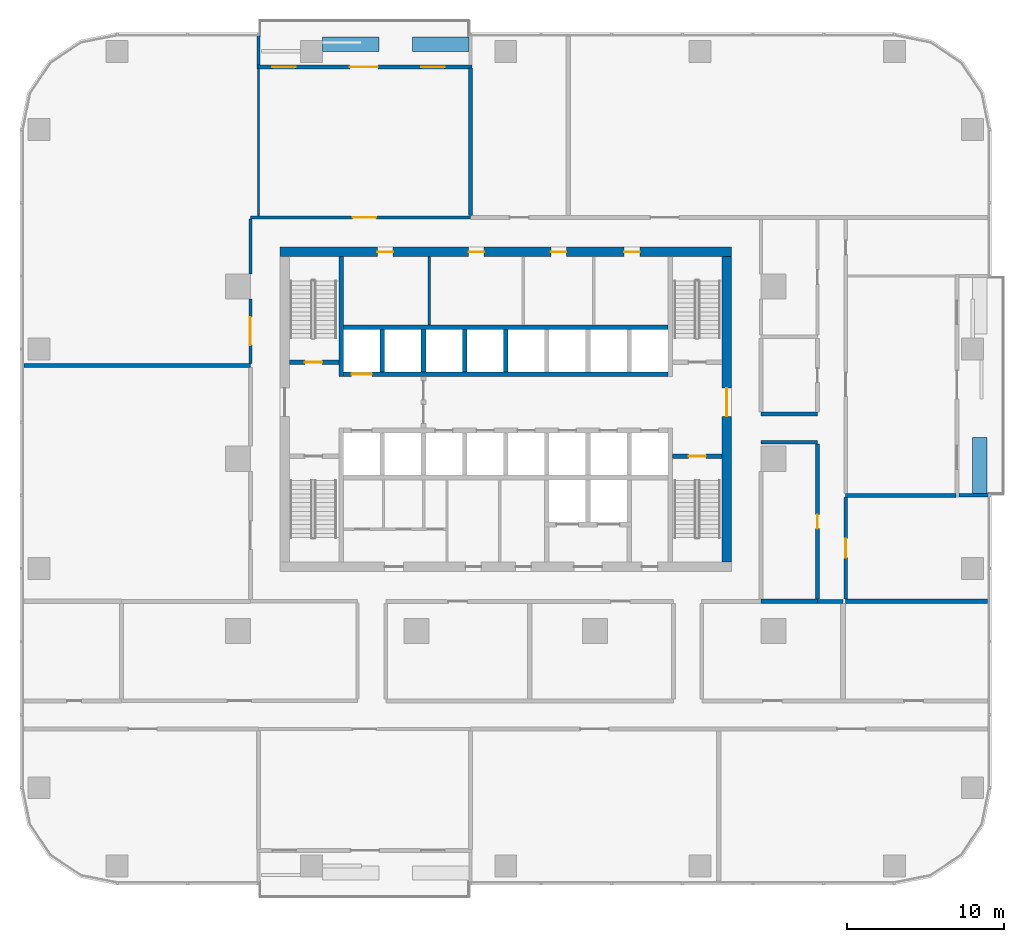
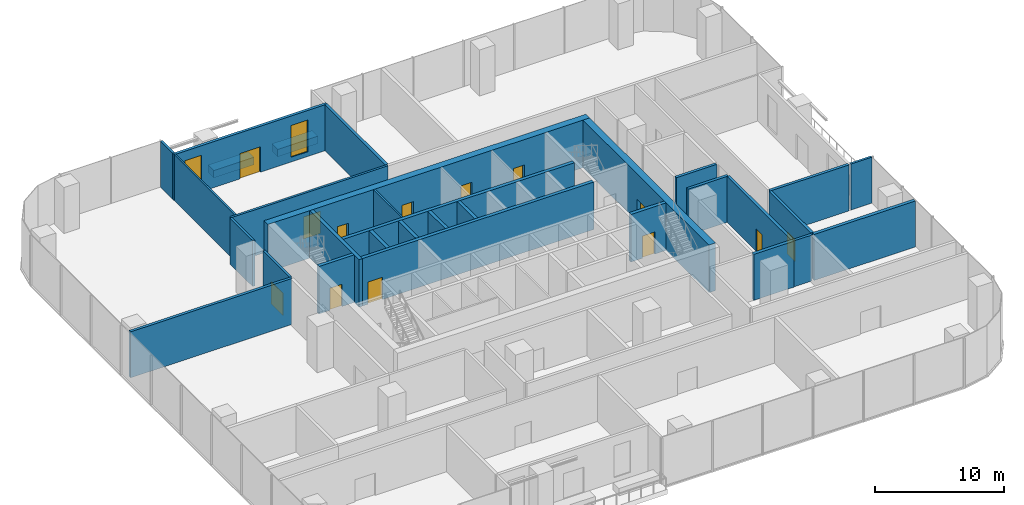
# One storey, part 9 of 15: 32 walls, 13 doors, 2 windows, 15 openings.
"""IFC4 building model written with IfcOpenShell, lengths in metres."""

from ifc_helpers import new_model, si_unit, direction, frame, frame_2d, origin, place, context, subcontext, project, spatial, rectangle, extrude, material, layer, layer_set, type_object, element, fill, save


model = new_model("IFC4")

# Units and contexts
model_context = context("Model", 3, precision=1e-05, world=origin(), true_north=direction((0.0, 1.0)))
body_context = subcontext(model_context, "Body", "Model", "MODEL_VIEW")
ifc_project = project(units=[si_unit("LENGTHUNIT", "METRE"), si_unit("AREAUNIT", "SQUARE_METRE"), si_unit("VOLUMEUNIT", "CUBIC_METRE"), si_unit("PLANEANGLEUNIT", "RADIAN"), si_unit("MASSUNIT", "GRAM", prefix="KILO")], contexts=[model_context])

# Site, building, storey
site_placement = place(None, origin())
site = spatial("IfcSite", under=ifc_project, at=site_placement, CompositionType="ELEMENT")
building_placement = place(site_placement, origin())
building = spatial("IfcBuilding", under=site, at=building_placement, Name="Mopane Tessera Tower", CompositionType="ELEMENT")
storey_placement = place(building_placement, frame((0.0, 0.0, 79.0)))
storey = spatial("IfcBuildingStorey", under=building, at=storey_placement, Name="L15", CompositionType="ELEMENT", Elevation=79.0)

# Wall
ifc_material_1 = material(Name="Fire-rated gypsum board partition")
ifc_layer_1 = layer(ifc_material_1, 0.14990234375)
ifc_layer_set_1 = layer_set([ifc_layer_1], Name="Fire-rated gypsum board partition")
wall_type_1 = type_object("IfcWallType", Name="Core room partition 150 mm", PredefinedType="PARTITIONING", material=ifc_layer_set_1)
wall_1_placement = place(storey_placement, frame((-4.875, 8.550048828125, 0.0), z_axis=(0.0, 0.0, 1.0), x_axis=(0.0, 1.0, 0.0)))
element("IfcWall", 1, at=wall_1_placement, inside=storey, type_object=wall_type_1, Name="L15 Room partition", PredefinedType="PARTITIONING", context=body_context, shape_type="SweptSolid", body=[
    extrude(rectangle(XDim=4.349853515625, YDim=0.14990234375, at=frame_2d((2.1748046875, 0.0))), origin(), (0.0, 0.0, 1.0), 4.5),
])

# Wall, openings, doors
ifc_material_2 = material(Name="Concrete C70/85", Category="concrete")
ifc_layer_2 = layer(ifc_material_2, 0.60009765625)
ifc_layer_set_2 = layer_set([ifc_layer_2], Name="Concrete C70/85")
wall_type_2 = type_object("IfcWallType", Name="Core shear wall 600 mm", PredefinedType="SHEAR", material=ifc_layer_set_2)
wall_2_placement = place(storey_placement, frame((-14.39990234375, 13.199951171875, 0.0), z_axis=(0.0, 0.0, 1.0), x_axis=(1.0, 0.0, 0.0)))
wall_2 = element("IfcWall", 2, at=wall_2_placement, inside=storey, type_object=wall_type_2, Name="L15 Core wall north", PredefinedType="SHEAR", context=body_context, shape_type="SweptSolid", body=[
    extrude(rectangle(XDim=28.7998046875, YDim=0.60009765625, at=frame_2d((14.39990234375, 0.0))), origin(), (0.0, 0.0, 1.0), 4.5),
])
opening_1_placement = place(wall_2_placement, frame((6.21240234375, 0.0, 0.0)))
opening_1 = element("IfcOpeningElement", 3, at=opening_1_placement, cuts=wall_2, Name="Opening RD1", PredefinedType="OPENING", context=body_context, shape_type="SweptSolid", body=[
    extrude(rectangle(XDim=1.0, YDim=2.10009765625, at=frame_2d((0.5, 1.050048828125))), frame((0.0, 0.31201171875, 0.0), z_axis=(0.0, -1.0, 0.0), x_axis=(1.0, 0.0, 0.0)), (0.0, 0.0, 1.0), 0.6240234375),
])
opening_2_placement = place(wall_2_placement, frame((12.02490234375, 0.0, 0.0)))
opening_2 = element("IfcOpeningElement", 4, at=opening_2_placement, cuts=wall_2, Name="Opening RD1", PredefinedType="OPENING", context=body_context, shape_type="SweptSolid", body=[
    extrude(rectangle(XDim=1.0, YDim=2.10009765625, at=frame_2d((0.5, 1.050048828125))), frame((0.0, 0.31201171875, 0.0), z_axis=(0.0, -1.0, 0.0), x_axis=(1.0, 0.0, 0.0)), (0.0, 0.0, 1.0), 0.6240234375),
])
opening_3_placement = place(wall_2_placement, frame((17.27490234375, 0.0, 0.0)))
opening_3 = element("IfcOpeningElement", 5, at=opening_3_placement, cuts=wall_2, Name="Opening RD1", PredefinedType="OPENING", context=body_context, shape_type="SweptSolid", body=[
    extrude(rectangle(XDim=1.0, YDim=2.10009765625, at=frame_2d((0.5, 1.050048828125))), frame((0.0, 0.31201171875, 0.0), z_axis=(0.0, -1.0, 0.0), x_axis=(1.0, 0.0, 0.0)), (0.0, 0.0, 1.0), 0.6240234375),
])
opening_4_placement = place(wall_2_placement, frame((21.96240234375, 0.0, 0.0)))
opening_4 = element("IfcOpeningElement", 6, at=opening_4_placement, cuts=wall_2, Name="Opening RD1", PredefinedType="OPENING", context=body_context, shape_type="SweptSolid", body=[
    extrude(rectangle(XDim=1.0, YDim=2.10009765625, at=frame_2d((0.5, 1.050048828125))), frame((0.0, 0.31201171875, 0.0), z_axis=(0.0, -1.0, 0.0), x_axis=(1.0, 0.0, 0.0)), (0.0, 0.0, 1.0), 0.6240234375),
])
ifc_material_3 = material(Name="Timber door", Category="wood")
door_type_1 = type_object("IfcDoorType", Name="Core room door 1000 x 2100", OperationType="SINGLE_SWING_LEFT", PredefinedType="DOOR", material=ifc_material_3)
door_1_placement = place(opening_1_placement, origin())
door_1 = element("IfcDoor", 7, at=door_1_placement, inside=storey, type_object=door_type_1, Name="L15 Room door", OperationType="SINGLE_SWING_LEFT", OverallHeight=2.10009765625, OverallWidth=1.0, PredefinedType="DOOR", context=body_context, shape_type="SweptSolid", body=[
    extrude(rectangle(XDim=1.0, YDim=2.10009765625, at=frame_2d((0.5, 1.050048828125))), frame((0.0, 0.02490234375, 0.0), z_axis=(0.0, -1.0, 0.0), x_axis=(1.0, 0.0, 0.0)), (0.0, 0.0, 1.0), 0.050048828125),
])
fill(opening_1, door_1)
door_2_placement = place(opening_2_placement, origin())
door_2 = element("IfcDoor", 8, at=door_2_placement, inside=storey, type_object=door_type_1, Name="L15 Room door", OperationType="SINGLE_SWING_LEFT", OverallHeight=2.10009765625, OverallWidth=1.0, PredefinedType="DOOR", context=body_context, shape_type="SweptSolid", body=[
    extrude(rectangle(XDim=1.0, YDim=2.10009765625, at=frame_2d((0.5, 1.050048828125))), frame((0.0, 0.02490234375, 0.0), z_axis=(0.0, -1.0, 0.0), x_axis=(1.0, 0.0, 0.0)), (0.0, 0.0, 1.0), 0.050048828125),
])
fill(opening_2, door_2)
door_3_placement = place(opening_3_placement, origin())
door_3 = element("IfcDoor", 9, at=door_3_placement, inside=storey, type_object=door_type_1, Name="L15 Room door", OperationType="SINGLE_SWING_LEFT", OverallHeight=2.10009765625, OverallWidth=1.0, PredefinedType="DOOR", context=body_context, shape_type="SweptSolid", body=[
    extrude(rectangle(XDim=1.0, YDim=2.10009765625, at=frame_2d((0.5, 1.050048828125))), frame((0.0, 0.02490234375, 0.0), z_axis=(0.0, -1.0, 0.0), x_axis=(1.0, 0.0, 0.0)), (0.0, 0.0, 1.0), 0.050048828125),
])
fill(opening_3, door_3)
door_4_placement = place(opening_4_placement, origin())
door_4 = element("IfcDoor", 10, at=door_4_placement, inside=storey, type_object=door_type_1, Name="L15 Room door", OperationType="SINGLE_SWING_LEFT", OverallHeight=2.10009765625, OverallWidth=1.0, PredefinedType="DOOR", context=body_context, shape_type="SweptSolid", body=[
    extrude(rectangle(XDim=1.0, YDim=2.10009765625, at=frame_2d((0.5, 1.050048828125))), frame((0.0, 0.02490234375, 0.0), z_axis=(0.0, -1.0, 0.0), x_axis=(1.0, 0.0, 0.0)), (0.0, 0.0, 1.0), 0.050048828125),
])
fill(opening_4, door_4)

# Wall, opening, door
wall_3_placement = place(storey_placement, frame((14.10009765625, -6.60009765625, 0.0), z_axis=(0.0, 0.0, 1.0), x_axis=(0.0, 1.0, 0.0)))
wall_3 = element("IfcWall", 11, at=wall_3_placement, inside=storey, type_object=wall_type_2, Name="L15 Core wall east", PredefinedType="SHEAR", context=body_context, shape_type="SweptSolid", body=[
    extrude(rectangle(XDim=19.5, YDim=0.60009765625, at=frame_2d((9.75, 0.0))), origin(), (0.0, 0.0, 1.0), 4.5),
])
opening_5_placement = place(wall_3_placement, frame((9.300048828125, 0.0, 0.0)))
opening_5 = element("IfcOpeningElement", 12, at=opening_5_placement, cuts=wall_3, Name="Opening SD2", PredefinedType="OPENING", context=body_context, shape_type="SweptSolid", body=[
    extrude(rectangle(XDim=1.800048828125, YDim=2.10009765625, at=frame_2d((0.89990234375, 1.050048828125))), frame((0.0, 0.31201171875, 0.0), z_axis=(0.0, -1.0, 0.0), x_axis=(1.0, 0.0, 0.0)), (0.0, 0.0, 1.0), 0.6240234375),
])
ifc_material_4 = material(Name="Steel fire door", Category="steel")
door_type_2 = type_object("IfcDoorType", Name="Core entrance double door 1800 x 2100", OperationType="DOUBLE_DOOR_SINGLE_SWING", PredefinedType="DOOR", material=ifc_material_4)
door_5_placement = place(opening_5_placement, origin())
door_5 = element("IfcDoor", 13, at=door_5_placement, inside=storey, type_object=door_type_2, Name="L15 Core entrance door east", OperationType="DOUBLE_DOOR_SINGLE_SWING", OverallHeight=2.10009765625, OverallWidth=1.800048828125, PredefinedType="DOOR", context=body_context, shape_type="SweptSolid", body=[
    extrude(rectangle(XDim=1.800048828125, YDim=2.10009765625, at=frame_2d((0.89990234375, 1.050048828125))), frame((0.0, 0.02490234375, 0.0), z_axis=(0.0, -1.0, 0.0), x_axis=(1.0, 0.0, 0.0)), (0.0, 0.0, 1.0), 0.050048828125),
])
fill(opening_5, door_5)

# Wall
ifc_material_5 = material(Name="Concrete C60/75", Category="concrete")
ifc_layer_3 = layer(ifc_material_5, 0.300048828125)
ifc_layer_set_3 = layer_set([ifc_layer_3], Name="Concrete C60/75")
wall_type_3 = type_object("IfcWallType", Name="Core spine wall 300 mm", PredefinedType="SHEAR", material=ifc_layer_set_3)
wall_4_placement = place(storey_placement, frame((-10.5, 5.25, 0.0), z_axis=(0.0, 0.0, 1.0), x_axis=(0.0, 1.0, 0.0)))
element("IfcWall", 14, at=wall_4_placement, inside=storey, type_object=wall_type_3, Name="L15 Core spine wall", PredefinedType="SHEAR", context=body_context, shape_type="SweptSolid", body=[
    extrude(rectangle(XDim=7.64990234375, YDim=0.300048828125, at=frame_2d((3.824951171875, 0.0))), origin(), (0.0, 0.0, 1.0), 4.5),
])

# Wall, opening, door
ifc_material_6 = material(Name="Gypsum board on steel studs, two layers each face, mineral wool infill", Category="steel")
ifc_layer_4 = layer(ifc_material_6, 0.199951171875)
ifc_layer_set_4 = layer_set([ifc_layer_4], Name="Gypsum board on steel studs, two layers each face, mineral wool infill")
wall_type_4 = type_object("IfcWallType", Name="Gypsum board corridor wall 200, rated EI 60", PredefinedType="PARTITIONING", material=ifc_layer_set_4)
wall_5_placement = place(storey_placement, frame((-16.300048828125, 15.39990234375, 0.0), z_axis=(0.0, 0.0, 1.0), x_axis=(1.0, 0.0, 0.0)))
wall_5 = element("IfcWall", 15, at=wall_5_placement, inside=storey, type_object=wall_type_4, Name="Partition L15:021", PredefinedType="PARTITIONING", context=body_context, shape_type="SweptSolid", body=[
    extrude(rectangle(XDim=14.045166015625, YDim=0.199951171875, at=frame_2d((7.0224609375, 0.0))), origin(), (0.0, 0.0, 1.0), 4.35009765625),
])
opening_6_placement = place(wall_5_placement, frame((6.532470703125, 0.0, 0.0)))
opening_6 = element("IfcOpeningElement", 16, at=opening_6_placement, cuts=wall_5, Name="Opening L15-19", PredefinedType="OPENING", context=body_context, shape_type="SweptSolid", body=[
    extrude(rectangle(XDim=1.5, YDim=2.10009765625, at=frame_2d((0.75, 1.050048828125))), frame((0.0, 0.112060546875, 0.0), z_axis=(0.0, -1.0, 0.0), x_axis=(1.0, 0.0, 0.0)), (0.0, 0.0, 1.0), 0.223876953125),
])
ifc_material_7 = material(Name="Timber veneered steel-framed fire door", Category="steel")
door_type_3 = type_object("IfcDoorType", Name="Fire door pair FD60 1500 x 2100", OperationType="DOUBLE_DOOR_SINGLE_SWING", PredefinedType="DOOR", material=ifc_material_7)
door_6_placement = place(opening_6_placement, origin())
door_6 = element("IfcDoor", 17, at=door_6_placement, inside=storey, type_object=door_type_3, Name="Door L15-19", ObjectType="D17A", OperationType="DOUBLE_DOOR_SINGLE_SWING", OverallHeight=2.10009765625, OverallWidth=1.5, PredefinedType="DOOR", context=body_context, shape_type="SweptSolid", body=[
    extrude(rectangle(XDim=1.5, YDim=2.10009765625, at=frame_2d((0.75, 1.050048828125))), frame((0.0, 0.02490234375, 0.0), z_axis=(0.0, -1.0, 0.0), x_axis=(1.0, 0.0, 0.0)), (0.0, 0.0, 1.0), 0.050048828125),
])
fill(opening_6, door_6)

wall_6_placement = place(storey_placement, frame((-16.300048828125, 6.0849609375, 0.0), z_axis=(0.0, 0.0, 1.0), x_axis=(0.0, 1.0, 0.0)))
wall_6 = element("IfcWall", 18, at=wall_6_placement, inside=storey, type_object=wall_type_4, Name="Partition L15:024", PredefinedType="PARTITIONING", context=body_context, shape_type="SweptSolid", body=[
    extrude(rectangle(XDim=4.114990234375, YDim=0.199951171875, at=frame_2d((2.0576171875, 0.0))), origin(), (0.0, 0.0, 1.0), 4.35009765625),
])
opening_7_placement = place(wall_6_placement, frame((1.157470703125, 0.0, 0.0)))
opening_7 = element("IfcOpeningElement", 19, at=opening_7_placement, cuts=wall_6, Name="Opening L15-03", PredefinedType="OPENING", context=body_context, shape_type="SweptSolid", body=[
    extrude(rectangle(XDim=1.800048828125, YDim=2.10009765625, at=frame_2d((0.89990234375, 1.050048828125))), frame((0.0, 0.112060546875, 0.0), z_axis=(0.0, -1.0, 0.0), x_axis=(1.0, 0.0, 0.0)), (0.0, 0.0, 1.0), 0.223876953125),
])
ifc_material_8 = material(Name="Timber veneered steel-framed fire door", Category="steel")
door_type_4 = type_object("IfcDoorType", Name="Fire door pair FD60 1800 x 2100", OperationType="DOUBLE_DOOR_SINGLE_SWING", PredefinedType="DOOR", material=ifc_material_8)
door_7_placement = place(opening_7_placement, origin())
door_7 = element("IfcDoor", 20, at=door_7_placement, inside=storey, type_object=door_type_4, Name="Door L15-03", ObjectType="D20A", OperationType="DOUBLE_DOOR_SINGLE_SWING", OverallHeight=2.10009765625, OverallWidth=1.800048828125, PredefinedType="DOOR", context=body_context, shape_type="SweptSolid", body=[
    extrude(rectangle(XDim=1.800048828125, YDim=2.10009765625, at=frame_2d((0.89990234375, 1.050048828125))), frame((0.0, 0.02490234375, 0.0), z_axis=(0.0, -1.0, 0.0), x_axis=(1.0, 0.0, 0.0)), (0.0, 0.0, 1.0), 0.050048828125),
])
fill(opening_7, door_7)

# Walls
wall_7_placement = place(storey_placement, frame((-16.300048828125, 11.800048828125, 0.0), z_axis=(0.0, 0.0, 1.0), x_axis=(0.0, 1.0, 0.0)))
element("IfcWall", 21, at=wall_7_placement, inside=storey, type_object=wall_type_4, Name="Partition L15:025", PredefinedType="PARTITIONING", context=body_context, shape_type="SweptSolid", body=[
    extrude(rectangle(XDim=3.5, YDim=0.199951171875, at=frame_2d((1.75, 0.0))), origin(), (0.0, 0.0, 1.0), 4.35009765625),
])
ifc_material_9 = material(Name="Gypsum board on steel studs, mineral wool infill", Category="steel")
ifc_layer_5 = layer(ifc_material_9, 0.14990234375)
ifc_layer_set_5 = layer_set([ifc_layer_5], Name="Gypsum board on steel studs, mineral wool infill")
wall_type_5 = type_object("IfcWallType", Name="Gypsum board partition 150, rated EI 60", PredefinedType="PARTITIONING", material=ifc_layer_set_5)
wall_8_placement = place(storey_placement, frame((-15.780029296875, 15.5, 0.0), z_axis=(0.0, 0.0, 1.0), x_axis=(0.0, 1.0, 0.0)))
element("IfcWall", 22, at=wall_8_placement, inside=storey, type_object=wall_type_5, Name="Partition L15:028", PredefinedType="PARTITIONING", context=body_context, shape_type="SweptSolid", body=[
    extrude(rectangle(XDim=9.449951171875, YDim=0.14990234375, at=frame_2d((4.72509765625, 0.0))), origin(), (0.0, 0.0, 1.0), 4.35009765625),
])

# Wall, opening, door
ifc_material_10 = material(Name="Concrete C50/60", Category="concrete")
ifc_layer_6 = layer(ifc_material_10, 0.300048828125)
ifc_layer_set_6 = layer_set([ifc_layer_6], Name="Concrete C50/60")
wall_type_6 = type_object("IfcWallType", Name="Lift and stair shaft wall 300 mm", PredefinedType="SOLIDWALL", material=ifc_layer_set_6)
wall_9_placement = place(storey_placement, frame((-13.800048828125, 6.14990234375, 0.0), z_axis=(0.0, 0.0, 1.0), x_axis=(1.0, 0.0, 0.0)))
wall_9 = element("IfcWall", 23, at=wall_9_placement, inside=storey, type_object=wall_type_6, Name="L15 Stair enclosure wall", PredefinedType="SOLIDWALL", context=body_context, shape_type="SweptSolid", body=[
    extrude(rectangle(XDim=3.150146484375, YDim=0.300048828125, at=frame_2d((1.5751953125, 0.0))), origin(), (0.0, 0.0, 1.0), 4.5),
])
opening_8_placement = place(wall_9_placement, frame((0.97509765625, 0.0, 0.0)))
opening_8 = element("IfcOpeningElement", 24, at=opening_8_placement, cuts=wall_9, Name="Opening SD1", PredefinedType="OPENING", context=body_context, shape_type="SweptSolid", body=[
    extrude(rectangle(XDim=1.10009765625, YDim=2.10009765625, at=frame_2d((0.550048828125, 1.050048828125))), frame((0.0, 0.162109375, 0.0), z_axis=(0.0, -1.0, 0.0), x_axis=(1.0, 0.0, 0.0)), (0.0, 0.0, 1.0), 0.323974609375),
])
ifc_material_11 = material(Name="Steel fire door", Category="steel")
door_type_5 = type_object("IfcDoorType", Name="Stair fire door 1100 x 2100", OperationType="SINGLE_SWING_LEFT", PredefinedType="DOOR", material=ifc_material_11)
door_8_placement = place(opening_8_placement, origin())
door_8 = element("IfcDoor", 25, at=door_8_placement, inside=storey, type_object=door_type_5, Name="L15 Stair door ST2", OperationType="SINGLE_SWING_LEFT", OverallHeight=2.10009765625, OverallWidth=1.10009765625, PredefinedType="DOOR", context=body_context, shape_type="SweptSolid", body=[
    extrude(rectangle(XDim=1.10009765625, YDim=2.10009765625, at=frame_2d((0.550048828125, 1.050048828125))), frame((0.0, 0.02490234375, 0.0), z_axis=(0.0, -1.0, 0.0), x_axis=(1.0, 0.0, 0.0)), (0.0, 0.0, 1.0), 0.050048828125),
])
fill(opening_8, door_8)

wall_10_placement = place(storey_placement, frame((10.64990234375, 0.14990234375, 0.0), z_axis=(0.0, 0.0, 1.0), x_axis=(1.0, 0.0, 0.0)))
wall_10 = element("IfcWall", 26, at=wall_10_placement, inside=storey, type_object=wall_type_6, Name="L15 Stair enclosure wall", PredefinedType="SOLIDWALL", context=body_context, shape_type="SweptSolid", body=[
    extrude(rectangle(XDim=3.150146484375, YDim=0.300048828125, at=frame_2d((1.5751953125, 0.0))), origin(), (0.0, 0.0, 1.0), 4.5),
])
opening_9_placement = place(wall_10_placement, frame((1.02490234375, 0.0, 0.0)))
opening_9 = element("IfcOpeningElement", 27, at=opening_9_placement, cuts=wall_10, Name="Opening SD1", PredefinedType="OPENING", context=body_context, shape_type="SweptSolid", body=[
    extrude(rectangle(XDim=1.10009765625, YDim=2.10009765625, at=frame_2d((0.550048828125, 1.050048828125))), frame((0.0, 0.162109375, 0.0), z_axis=(0.0, -1.0, 0.0), x_axis=(1.0, 0.0, 0.0)), (0.0, 0.0, 1.0), 0.323974609375),
])
door_9_placement = place(opening_9_placement, origin())
door_9 = element("IfcDoor", 28, at=door_9_placement, inside=storey, type_object=door_type_5, Name="L15 Stair door ST3", OperationType="SINGLE_SWING_RIGHT", OverallHeight=2.10009765625, OverallWidth=1.10009765625, PredefinedType="DOOR", context=body_context, shape_type="SweptSolid", body=[
    extrude(rectangle(XDim=1.10009765625, YDim=2.10009765625, at=frame_2d((0.550048828125, 1.050048828125))), frame((0.0, 0.02490234375, 0.0), z_axis=(0.0, -1.0, 0.0), x_axis=(1.0, 0.0, 0.0)), (0.0, 0.0, 1.0), 0.050048828125),
])
fill(opening_9, door_9)

wall_11_placement = place(storey_placement, frame((-10.35009765625, 5.39990234375, 0.0), z_axis=(0.0, 0.0, 1.0), x_axis=(1.0, 0.0, 0.0)))
wall_11 = element("IfcWall", 29, at=wall_11_placement, inside=storey, type_object=wall_type_6, Name="L15 Lift shaft front wall", PredefinedType="SOLIDWALL", context=body_context, shape_type="SweptSolid", body=[
    extrude(rectangle(XDim=20.7001953125, YDim=0.300048828125, at=frame_2d((10.35009765625, 0.0))), origin(), (0.0, 0.0, 1.0), 4.5),
])
opening_10_placement = place(wall_11_placement, frame((0.512451171875, 0.0, 0.0)))
opening_10 = element("IfcOpeningElement", 30, at=opening_10_placement, cuts=wall_11, Name="Opening LD2", PredefinedType="OPENING", context=body_context, shape_type="SweptSolid", body=[
    extrude(rectangle(XDim=1.300048828125, YDim=2.10009765625, at=frame_2d((0.64990234375, 1.050048828125))), frame((0.0, 0.162109375, 0.0), z_axis=(0.0, -1.0, 0.0), x_axis=(1.0, 0.0, 0.0)), (0.0, 0.0, 1.0), 0.323974609375),
])
ifc_material_12 = material(Name="Stainless steel sliding door", Category="steel")
door_type_6 = type_object("IfcDoorType", Name="Fire-fighting lift landing door 1300 x 2100", OperationType="DOUBLE_DOOR_SLIDING", PredefinedType="DOOR", material=ifc_material_12)
door_10_placement = place(opening_10_placement, origin())
door_10 = element("IfcDoor", 31, at=door_10_placement, inside=storey, type_object=door_type_6, Name="L15 Lift landing door FF2", OperationType="DOUBLE_DOOR_SLIDING", OverallHeight=2.10009765625, OverallWidth=1.300048828125, PredefinedType="DOOR", context=body_context, shape_type="SweptSolid", body=[
    extrude(rectangle(XDim=1.300048828125, YDim=2.10009765625, at=frame_2d((0.64990234375, 1.050048828125))), frame((0.0, 0.02490234375, 0.0), z_axis=(0.0, -1.0, 0.0), x_axis=(1.0, 0.0, 0.0)), (0.0, 0.0, 1.0), 0.050048828125),
])
fill(opening_10, door_10)

# Walls
wall_12_placement = place(storey_placement, frame((-10.35009765625, 8.39990234375, 0.0), z_axis=(0.0, 0.0, 1.0), x_axis=(1.0, 0.0, 0.0)))
element("IfcWall", 32, at=wall_12_placement, inside=storey, type_object=wall_type_6, Name="L15 Lift shaft rear wall", PredefinedType="SOLIDWALL", context=body_context, shape_type="SweptSolid", body=[
    extrude(rectangle(XDim=20.7001953125, YDim=0.300048828125, at=frame_2d((10.35009765625, 0.0))), origin(), (0.0, 0.0, 1.0), 4.5),
])
for number, where, z_axis, x_axis, name in (
    (33, (-7.875, 5.550048828125, 0.0), (0.0, 0.0, 1.0), (0.0, 1.0, 0.0), "L15 Lift shaft wall"),
    (34, (-5.25, 5.550048828125, 0.0), (0.0, 0.0, 1.0), (0.0, 1.0, 0.0), "L15 Lift shaft wall"),
    (35, (-2.625, 5.550048828125, 0.0), (0.0, 0.0, 1.0), (0.0, 1.0, 0.0), "L15 Lift shaft wall"),
    (36, (0.0, 5.550048828125, 0.0), (0.0, 0.0, 1.0), (0.0, 1.0, 0.0), "L15 Lift shaft wall"),
):
    element("IfcWall", number, at=place(storey_placement, frame(where, z_axis=z_axis, x_axis=x_axis)), inside=storey, type_object=wall_type_6, Name=name, PredefinedType="SOLIDWALL", context=body_context, shape_type="SweptSolid", body=[
        extrude(rectangle(XDim=2.699951171875, YDim=0.300048828125, at=frame_2d((1.35009765625, 0.0))), origin(), (0.0, 0.0, 1.0), 4.5),
    ])
ifc_material_13 = material(Name="Reinforced concrete C32/40 with waterproofing", Category="concrete")
ifc_layer_7 = layer(ifc_material_13, 0.89990234375)
ifc_layer_set_7 = layer_set([ifc_layer_7], Name="Reinforced concrete C32/40 with waterproofing")
wall_type_7 = type_object("IfcWallType", Name="Planter trough 3600 x 900", PredefinedType="STANDARD", material=ifc_layer_set_7)
for number, where, z_axis, x_axis, name in (
    (37, (30.25, -2.2333984375, 0.0), (0.0, 0.0, 1.0), (0.0, 1.0, 0.0), "e:nw:L15:N1:pl0"),
    (38, (-2.3544921875, 26.449951171875, 0.0), (0.0, 0.0, 1.0), (-1.0, 0.0, 0.0), "e:nw:L15:N2:pl0"),
    (39, (-8.079833984375, 26.449951171875, 0.0), (0.0, 0.0, 1.0), (-1.0, 0.0, 0.0), "e:nw:L15:N2:pl1"),
):
    element("IfcWall", number, at=place(storey_placement, frame(where, z_axis=z_axis, x_axis=x_axis)), inside=storey, type_object=wall_type_7, Name=name, PredefinedType="STANDARD", context=body_context, shape_type="SweptSolid", body=[
        extrude(rectangle(XDim=3.60009765625, YDim=0.89990234375, at=frame_2d((1.800048828125, 0.0))), origin(), (0.0, 0.0, 1.0), 0.699951171875),
    ])
ifc_material_14 = material(Name="Plastered concrete blockwork C20/25", Category="masonry")
ifc_layer_8 = layer(ifc_material_14, 0.300048828125)
ifc_layer_set_8 = layer_set([ifc_layer_8], Name="Plastered concrete blockwork C20/25")
wall_type_8 = type_object("IfcWallType", Name="Plastered blockwork separation wall 300, rated EI 120", PredefinedType="PARTITIONING", material=ifc_layer_set_8)
wall_13_placement = place(storey_placement, frame((16.300048828125, -9.10009765625, 0.0), z_axis=(0.0, 0.0, 1.0), x_axis=(1.0, 0.0, 0.0)))
element("IfcWall", 40, at=wall_13_placement, inside=storey, type_object=wall_type_8, Name="Partition L15:013", PredefinedType="PARTITIONING", context=body_context, shape_type="SweptSolid", body=[
    extrude(rectangle(XDim=3.599853515625, YDim=0.300048828125, at=frame_2d((1.7998046875, 0.0))), origin(), (0.0, 0.0, 1.0), 4.35009765625),
])
wall_14_placement = place(storey_placement, frame((21.699951171875, -9.10009765625, 0.0), z_axis=(0.0, 0.0, 1.0), x_axis=(1.0, 0.0, 0.0)))
element("IfcWall", 41, at=wall_14_placement, inside=storey, type_object=wall_type_8, Name="Partition L15:014", PredefinedType="PARTITIONING", context=body_context, shape_type="SweptSolid", body=[
    extrude(rectangle(XDim=9.050048828125, YDim=0.300048828125, at=frame_2d((4.52490234375, 0.0))), origin(), (0.0, 0.0, 1.0), 4.35009765625),
])
ifc_material_15 = material(Name="Plastered concrete blockwork C20/25", Category="masonry")
ifc_layer_9 = layer(ifc_material_15, 0.25)
ifc_layer_set_9 = layer_set([ifc_layer_9], Name="Plastered concrete blockwork C20/25")
wall_type_9 = type_object("IfcWallType", Name="Plastered blockwork wall 250, rated EI 120", PredefinedType="PARTITIONING", material=ifc_layer_set_9)
wall_15_placement = place(storey_placement, frame((19.89990234375, -9.10009765625, 0.0), z_axis=(0.0, 0.0, 1.0), x_axis=(1.0, 0.0, 0.0)))
element("IfcWall", 42, at=wall_15_placement, inside=storey, type_object=wall_type_9, Name="Partition L15:011", PredefinedType="PARTITIONING", context=body_context, shape_type="SweptSolid", body=[
    extrude(rectangle(XDim=1.630126953125, YDim=0.25, at=frame_2d((0.81494140625, 0.0))), origin(), (0.0, 0.0, 1.0), 4.35009765625),
])
wall_16_placement = place(storey_placement, frame((21.699951171875, -2.3349609375, 0.0), z_axis=(0.0, 0.0, 1.0), x_axis=(1.0, 0.0, 0.0)))
element("IfcWall", 43, at=wall_16_placement, inside=storey, type_object=wall_type_9, Name="Partition L15:015", PredefinedType="PARTITIONING", context=body_context, shape_type="SweptSolid", body=[
    extrude(rectangle(XDim=7.050048828125, YDim=0.25, at=frame_2d((3.52490234375, 0.0))), origin(), (0.0, 0.0, 1.0), 4.35009765625),
])
for number, where, z_axis, x_axis, name in (
    (44, (16.300048828125, 1.050048828125, 0.0), (0.0, 0.0, 1.0), (1.0, 0.0, 0.0), "Partition L15:016"),
    (45, (16.300048828125, 2.85009765625, 0.0), (0.0, 0.0, 1.0), (1.0, 0.0, 0.0), "Partition L15:017"),
):
    element("IfcWall", number, at=place(storey_placement, frame(where, z_axis=z_axis, x_axis=x_axis)), inside=storey, type_object=wall_type_9, Name=name, PredefinedType="PARTITIONING", context=body_context, shape_type="SweptSolid", body=[
        extrude(rectangle(XDim=3.599853515625, YDim=0.25, at=frame_2d((1.7998046875, 0.0))), origin(), (0.0, 0.0, 1.0), 4.35009765625),
    ])
wall_17_placement = place(storey_placement, frame((-30.75, 5.9599609375, 0.0), z_axis=(0.0, 0.0, 1.0), x_axis=(1.0, 0.0, 0.0)))
element("IfcWall", 46, at=wall_17_placement, inside=storey, type_object=wall_type_9, Name="Partition L15:018", PredefinedType="PARTITIONING", context=body_context, shape_type="SweptSolid", body=[
    extrude(rectangle(XDim=14.449951171875, YDim=0.25, at=frame_2d((7.22509765625, 0.0))), origin(), (0.0, 0.0, 1.0), 4.35009765625),
])
wall_18_placement = place(storey_placement, frame((-2.2548828125, 15.52490234375, 0.0), z_axis=(0.0, 0.0, 1.0), x_axis=(0.0, 1.0, 0.0)))
element("IfcWall", 47, at=wall_18_placement, inside=storey, type_object=wall_type_9, Name="Partition L15:033", PredefinedType="PARTITIONING", context=body_context, shape_type="SweptSolid", body=[
    extrude(rectangle(XDim=9.425048828125, YDim=0.25, at=frame_2d((4.71240234375, 0.0))), origin(), (0.0, 0.0, 1.0), 4.35009765625),
])

# Wall, opening, door
wall_19_placement = place(storey_placement, frame((19.89990234375, -8.949951171875, 0.0), z_axis=(0.0, 0.0, 1.0), x_axis=(0.0, 1.0, 0.0)))
wall_19 = element("IfcWall", 48, at=wall_19_placement, inside=storey, type_object=wall_type_9, Name="Partition L15:044", PredefinedType="PARTITIONING", context=body_context, shape_type="SweptSolid", body=[
    extrude(rectangle(XDim=9.875, YDim=0.25, at=frame_2d((4.9375, 0.0))), origin(), (0.0, 0.0, 1.0), 4.35009765625),
])
opening_11_placement = place(wall_19_placement, frame((4.487548828125, 0.0, 0.0)))
opening_11 = element("IfcOpeningElement", 49, at=opening_11_placement, cuts=wall_19, Name="Opening L15-18", PredefinedType="OPENING", context=body_context, shape_type="SweptSolid", body=[
    extrude(rectangle(XDim=0.89990234375, YDim=2.10009765625, at=frame_2d((0.449951171875, 1.050048828125))), frame((0.0, 0.136962890625, 0.0), z_axis=(0.0, -1.0, 0.0), x_axis=(1.0, 0.0, 0.0)), (0.0, 0.0, 1.0), 0.27392578125),
])
ifc_material_16 = material(Name="Timber veneered steel-framed fire door", Category="steel")
door_type_7 = type_object("IfcDoorType", Name="Fire door FD120 900 x 2100", OperationType="SINGLE_SWING_LEFT", PredefinedType="DOOR", material=ifc_material_16)
door_11_placement = place(opening_11_placement, origin())
door_11 = element("IfcDoor", 50, at=door_11_placement, inside=storey, type_object=door_type_7, Name="Door L15-18", ObjectType="D10B", OperationType="SINGLE_SWING_RIGHT", OverallHeight=2.10009765625, OverallWidth=0.89990234375, PredefinedType="DOOR", context=body_context, shape_type="SweptSolid", body=[
    extrude(rectangle(XDim=0.89990234375, YDim=2.10009765625, at=frame_2d((0.449951171875, 1.050048828125))), frame((0.0, 0.02490234375, 0.0), z_axis=(0.0, -1.0, 0.0), x_axis=(1.0, 0.0, 0.0)), (0.0, 0.0, 1.0), 0.050048828125),
])
fill(opening_11, door_11)

wall_20_placement = place(storey_placement, frame((21.699951171875, -8.949951171875, 0.0), z_axis=(0.0, 0.0, 1.0), x_axis=(0.0, 1.0, 0.0)))
wall_20 = element("IfcWall", 51, at=wall_20_placement, inside=storey, type_object=wall_type_9, Name="Partition L15:048", PredefinedType="PARTITIONING", context=body_context, shape_type="SweptSolid", body=[
    extrude(rectangle(XDim=6.489990234375, YDim=0.25, at=frame_2d((3.2451171875, 0.0))), origin(), (0.0, 0.0, 1.0), 4.35009765625),
])
opening_12_placement = place(wall_20_placement, frame((2.64501953125, 0.0, 0.0)))
opening_12 = element("IfcOpeningElement", 52, at=opening_12_placement, cuts=wall_20, Name="Opening L15-08", PredefinedType="OPENING", context=body_context, shape_type="SweptSolid", body=[
    extrude(rectangle(XDim=1.199951171875, YDim=2.10009765625, at=frame_2d((0.60009765625, 1.050048828125))), frame((0.0, 0.136962890625, 0.0), z_axis=(0.0, -1.0, 0.0), x_axis=(1.0, 0.0, 0.0)), (0.0, 0.0, 1.0), 0.27392578125),
])
ifc_material_17 = material(Name="Timber veneered steel-framed fire door", Category="steel")
door_type_8 = type_object("IfcDoorType", Name="Fire door FD120 1200 x 2100", OperationType="SINGLE_SWING_LEFT", PredefinedType="DOOR", material=ifc_material_17)
door_12_placement = place(opening_12_placement, origin())
door_12 = element("IfcDoor", 53, at=door_12_placement, inside=storey, type_object=door_type_8, Name="Door L15-08", ObjectType="D15B", OperationType="SINGLE_SWING_LEFT", OverallHeight=2.10009765625, OverallWidth=1.199951171875, PredefinedType="DOOR", context=body_context, shape_type="SweptSolid", body=[
    extrude(rectangle(XDim=1.199951171875, YDim=2.10009765625, at=frame_2d((0.60009765625, 1.050048828125))), frame((0.0, 0.02490234375, 0.0), z_axis=(0.0, -1.0, 0.0), x_axis=(1.0, 0.0, 0.0)), (0.0, 0.0, 1.0), 0.050048828125),
])
fill(opening_12, door_12)

# Walls
ifc_material_18 = material(Name="Blockwork with glazed tile facing", Category="masonry")
ifc_layer_10 = layer(ifc_material_18, 0.199951171875)
ifc_layer_set_10 = layer_set([ifc_layer_10], Name="Blockwork with glazed tile facing")
wall_type_10 = type_object("IfcWallType", Name="Terrace cheek wall 200", PredefinedType="STANDARD", material=ifc_layer_set_10)
for number, where, z_axis, x_axis, name in (
    (54, (30.800048828125, -2.333251953125, 0.0), (0.0, 0.0, 1.0), (-1.0, 0.0, 0.0), "e:nw:L15:N1:cheeka"),
    (55, (-15.78173828125, 27.0, 0.0), (0.0, 0.0, 1.0), (0.0, -1.0, 0.0), "e:nw:L15:N2:cheekb"),
):
    element("IfcWall", number, at=place(storey_placement, frame(where, z_axis=z_axis, x_axis=x_axis)), inside=storey, type_object=wall_type_10, Name=name, PredefinedType="STANDARD", context=body_context, shape_type="SweptSolid", body=[
        extrude(rectangle(XDim=1.875, YDim=0.199951171875, at=frame_2d((0.9375, 0.0))), origin(), (0.0, 0.0, 1.0), 4.35009765625),
    ])

# Wall, openings, windows, door
ifc_material_19 = material(Name="Blockwork with ochre glazed tile facing", Category="masonry")
ifc_layer_11 = layer(ifc_material_19, 0.25)
ifc_layer_set_11 = layer_set([ifc_layer_11], Name="Blockwork with ochre glazed tile facing")
wall_type_11 = type_object("IfcWallType", Name="Tile-clad external wall 250, ochre", PredefinedType="STANDARD", material=ifc_layer_set_11)
wall_21_placement = place(storey_placement, frame((-2.154541015625, 25.0, 0.0), z_axis=(0.0, 0.0, 1.0), x_axis=(-1.0, 0.0, 0.0)))
wall_21 = element("IfcWall", 56, at=wall_21_placement, inside=storey, type_object=wall_type_11, Name="e:nw:L15:N2:back", PredefinedType="STANDARD", context=body_context, shape_type="SweptSolid", body=[
    extrude(rectangle(XDim=13.727294921875, YDim=0.25, at=frame_2d((6.86376953125, 0.0))), origin(), (0.0, 0.0, 1.0), 4.35009765625),
])
opening_13_placement = place(wall_21_placement, frame((1.75, 0.0, 0.449951171875)))
opening_13 = element("IfcOpeningElement", 57, at=opening_13_placement, cuts=wall_21, Name="Opening NW152A", PredefinedType="OPENING", context=body_context, shape_type="SweptSolid", body=[
    extrude(rectangle(XDim=1.5, YDim=3.0, at=frame_2d((0.75, 1.5))), frame((0.0, 0.136962890625, 0.0), z_axis=(0.0, -1.0, 0.0), x_axis=(1.0, 0.0, 0.0)), (0.0, 0.0, 1.0), 0.27392578125),
])
opening_14_placement = place(wall_21_placement, frame((6.0, 0.0, 0.0)))
opening_14 = element("IfcOpeningElement", 58, at=opening_14_placement, cuts=wall_21, Name="Opening ND152", PredefinedType="OPENING", context=body_context, shape_type="SweptSolid", body=[
    extrude(rectangle(XDim=1.800048828125, YDim=2.39990234375, at=frame_2d((0.89990234375, 1.199951171875))), frame((0.0, 0.136962890625, 0.0), z_axis=(0.0, -1.0, 0.0), x_axis=(1.0, 0.0, 0.0)), (0.0, 0.0, 1.0), 0.27392578125),
])
opening_15_placement = place(wall_21_placement, frame((11.25, 0.0, 0.449951171875)))
opening_15 = element("IfcOpeningElement", 59, at=opening_15_placement, cuts=wall_21, Name="Opening NW152B", PredefinedType="OPENING", context=body_context, shape_type="SweptSolid", body=[
    extrude(rectangle(XDim=1.5, YDim=3.0, at=frame_2d((0.75, 1.5))), frame((0.0, 0.136962890625, 0.0), z_axis=(0.0, -1.0, 0.0), x_axis=(1.0, 0.0, 0.0)), (0.0, 0.0, 1.0), 0.27392578125),
])
ifc_material_20 = material(Name="Clear laminated glass", Category="glass")
window_type = type_object("IfcWindowType", Name="Fixed window 1500 x 3000", PartitioningType="SINGLE_PANEL", PredefinedType="WINDOW", material=ifc_material_20)
window_1_placement = place(opening_13_placement, origin())
window_1 = element("IfcWindow", 60, at=window_1_placement, inside=storey, type_object=window_type, Name="e:nw:L15:N2:win0", OverallHeight=3.0, OverallWidth=1.5, PartitioningType="SINGLE_PANEL", PredefinedType="WINDOW", context=body_context, shape_type="SweptSolid", body=[
    extrude(rectangle(XDim=1.5, YDim=3.0, at=frame_2d((0.75, 1.5))), frame((0.0, 0.030029296875, 0.0), z_axis=(0.0, -1.0, 0.0), x_axis=(1.0, 0.0, 0.0)), (0.0, 0.0, 1.0), 0.06005859375),
])
fill(opening_13, window_1)
window_2_placement = place(opening_15_placement, origin())
window_2 = element("IfcWindow", 61, at=window_2_placement, inside=storey, type_object=window_type, Name="e:nw:L15:N2:win2", OverallHeight=3.0, OverallWidth=1.5, PartitioningType="SINGLE_PANEL", PredefinedType="WINDOW", context=body_context, shape_type="SweptSolid", body=[
    extrude(rectangle(XDim=1.5, YDim=3.0, at=frame_2d((0.75, 1.5))), frame((0.0, 0.030029296875, 0.0), z_axis=(0.0, -1.0, 0.0), x_axis=(1.0, 0.0, 0.0)), (0.0, 0.0, 1.0), 0.06005859375),
])
fill(opening_15, window_2)
ifc_material_21 = material(Name="Aluminium and clear glass", Category="aluminium")
door_type_9 = type_object("IfcDoorType", Name="Terrace double door 1800 x 2400", OperationType="DOUBLE_DOOR_SINGLE_SWING", PredefinedType="DOOR", material=ifc_material_21)
door_13_placement = place(opening_14_placement, origin())
door_13 = element("IfcDoor", 62, at=door_13_placement, inside=storey, type_object=door_type_9, Name="e:nw:L15:N2:door", ObjectType="D1", OperationType="DOUBLE_DOOR_SINGLE_SWING", OverallHeight=2.39990234375, OverallWidth=1.800048828125, PredefinedType="DOOR", context=body_context, shape_type="SweptSolid", body=[
    extrude(rectangle(XDim=1.800048828125, YDim=2.39990234375, at=frame_2d((0.89990234375, 1.199951171875))), frame((0.0, 0.02490234375, 0.0), z_axis=(0.0, -1.0, 0.0), x_axis=(1.0, 0.0, 0.0)), (0.0, 0.0, 1.0), 0.050048828125),
])
fill(opening_14, door_13)

save(model, "model.ifc")
